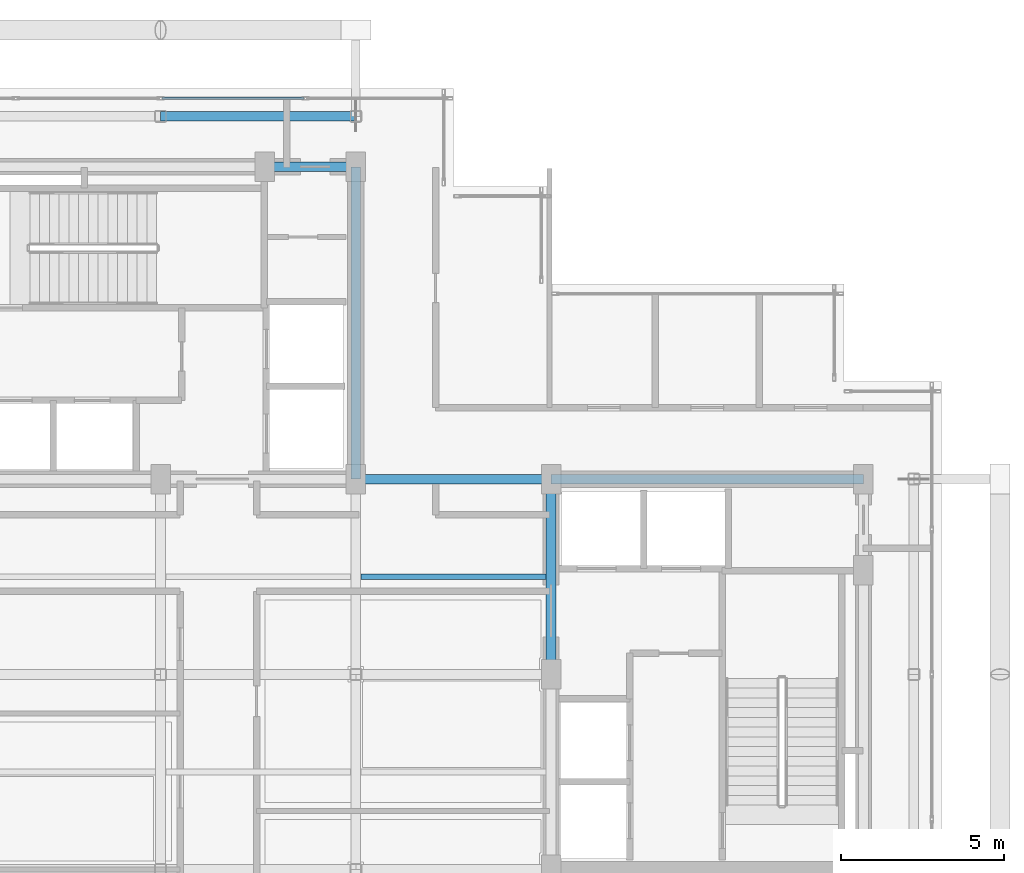
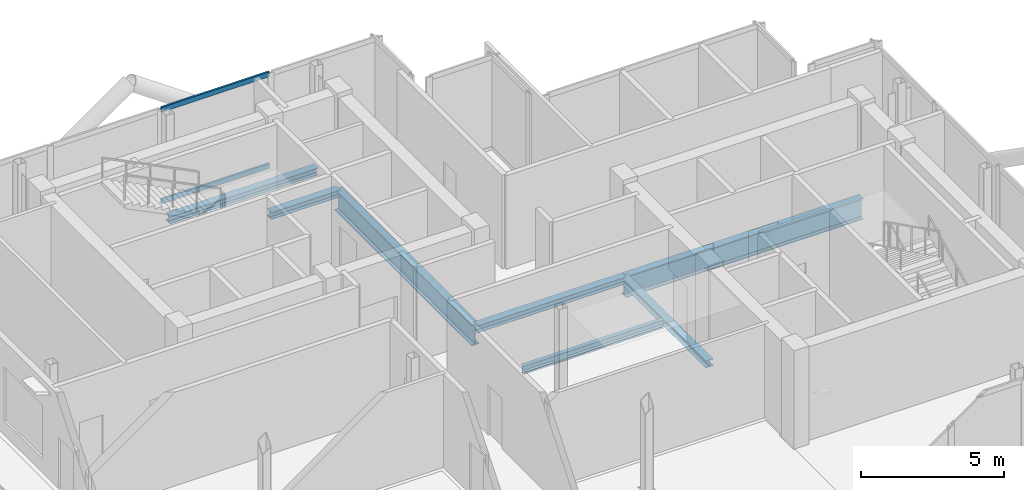
# One storey, part 7 of 16: 7 beams, 2 members, 1 element without a shape of its own.
"""IFC4 building model written with IfcOpenShell, lengths in metres."""

from ifc_helpers import new_model, si_unit, direction, frame, origin, origin_2d, place, context, subcontext, project, spatial, hollow_rectangle, i_section, extrude, material, layer, layer_set, material_profile, profile_set, type_object, element, aggregate, save


model = new_model("IFC4")

# Units and contexts
model_context = context("Model", 3, precision=1e-05, world=origin(), true_north=direction((0.0, 1.0)))
body_context = subcontext(model_context, "Body", "Model", "MODEL_VIEW")
ifc_project = project(units=[si_unit("LENGTHUNIT", "METRE"), si_unit("AREAUNIT", "SQUARE_METRE"), si_unit("VOLUMEUNIT", "CUBIC_METRE"), si_unit("PLANEANGLEUNIT", "RADIAN"), si_unit("MASSUNIT", "GRAM", prefix="KILO"), si_unit("THERMODYNAMICTEMPERATUREUNIT", "KELVIN"), si_unit("POWERUNIT", "WATT")], contexts=[model_context])

# Site, building, storey
site_placement = place(None, origin())
site = spatial("IfcSite", under=ifc_project, at=site_placement, CompositionType="ELEMENT")
building_placement = place(site_placement, origin())
building = spatial("IfcBuilding", under=site, at=building_placement, Name="Svarakhadi Broadcast Tower", CompositionType="ELEMENT")
storey_placement = place(building_placement, frame((0.0, 0.0, 292.199951171875)))
storey = spatial("IfcBuildingStorey", under=building, at=storey_placement, Name="L74", CompositionType="ELEMENT", Elevation=292.199951171875)

# Beam
ifc_material_1 = material(Name="Steel S355J2 (IS 2062 E350C)", Category="steel")
ifc_material_profile_1 = material_profile(ifc_material_1, i_section(OverallWidth=0.169921875, OverallDepth=0.360107421875, WebThickness=0.008056640625, FlangeThickness=0.0126953125, FilletRadius=0.01806640625, at=origin_2d()), Name="NPB 360x170x57")
ifc_profile_set_1 = profile_set([ifc_material_profile_1], Name="Steel S355J2 (IS 2062 E350C)")
beam_type_1 = type_object("IfcBeamType", Name="Beam_NPB360", PredefinedType="BEAM", material=ifc_profile_set_1)
beam_1_placement = place(storey_placement, frame((18.159912109375, 15.0, -0.3798828125), z_axis=(1.0, 0.0, 0.0), x_axis=(0.0, 1.0, 0.0)))
element("IfcBeam", 1, at=beam_1_placement, inside=storey, type_object=beam_type_1, Name="L74 Secondary Composite Beam SB012", PredefinedType="BEAM", context=body_context, shape_type="SweptSolid", body=[
    extrude(i_section(OverallWidth=0.169921875, OverallDepth=0.360107421875, WebThickness=0.008056640625, FlangeThickness=0.0126953125, FilletRadius=0.01806640625, at=origin_2d()), origin(), (0.0, 0.0, 1.0), 5.68017578125),
])

# Curtain wall, members
ifc_material_2 = material(Name="Anodised Bronze Aluminium AA 6063-T6", Category="aluminium")
ifc_layer = layer(ifc_material_2, 0.239990234375)
ifc_layer_set = layer_set([ifc_layer], Name="Anodised Bronze Aluminium AA 6063-T6")
curtain_wall_type = type_object("IfcCurtainWallType", Name="CW_Sys_06", PredefinedType="NOTDEFINED", material=ifc_layer_set)
curtain_wall_placement = place(storey_placement, origin())
curtain_wall = element("IfcCurtainWall", 2, at=curtain_wall_placement, inside=storey, type_object=curtain_wall_type, Name="L74 Unitised Facade Curtain Wall 06", PredefinedType="NOTDEFINED")
ifc_material_profile_2 = material_profile(ifc_material_2, hollow_rectangle(XDim=0.080078125, YDim=0.2099609375, WallThickness=0.0048828125, at=origin_2d()), Name="ALU TRANSOM 210x80x5")
ifc_profile_set_2 = profile_set([ifc_material_profile_2], Name="Anodised Bronze Aluminium AA 6063-T6")
member_type = type_object("IfcMemberType", Name="CW_Sys_06_Trn", PredefinedType="USERDEFINED", material=ifc_profile_set_2)
member_1_placement = place(storey_placement, frame((12.044921875, 29.699951171875, 0.0400390625), z_axis=(1.0, 0.0, 0.0), x_axis=(0.0, 1.0, 0.0)))
member_1 = element("IfcMember", 3, at=member_1_placement, type_object=member_type, Name="CW-06 transom 3.1", ObjectType="TRANSOM", PredefinedType="USERDEFINED", context=body_context, shape_type="SweptSolid", body=[
    extrude(hollow_rectangle(XDim=0.080078125, YDim=0.2099609375, WallThickness=0.0048828125, at=origin_2d()), origin(), (0.0, 0.0, 1.0), 4.364990234375),
])
member_2_placement = place(storey_placement, frame((12.044921875, 29.699951171875, 3.9599609375), z_axis=(1.0, 0.0, 0.0), x_axis=(0.0, 1.0, 0.0)))
member_2 = element("IfcMember", 4, at=member_2_placement, type_object=member_type, Name="CW-06 transom 3.2", ObjectType="TRANSOM", PredefinedType="USERDEFINED", context=body_context, shape_type="SweptSolid", body=[
    extrude(hollow_rectangle(XDim=0.080078125, YDim=0.2099609375, WallThickness=0.0048828125, at=origin_2d()), origin(), (0.0, 0.0, 1.0), 4.364990234375),
])
aggregate(curtain_wall, [member_1, member_2])

# Beams
ifc_material_profile_3 = material_profile(ifc_material_1, i_section(OverallWidth=0.300048828125, OverallDepth=0.300048828125, WebThickness=0.010986328125, FlangeThickness=0.01904296875, FilletRadius=0.027099609375, at=origin_2d()), Name="WPB 300x300x117")
ifc_profile_set_3 = profile_set([ifc_material_profile_3], Name="Steel S355J2 (IS 2062 E350C)")
beam_type_2 = type_object("IfcBeamType", Name="Girder_WPB300", PredefinedType="USERDEFINED", material=ifc_profile_set_3)
beam_2_placement = place(storey_placement, frame((18.0, 18.0, -0.349853515625), z_axis=(1.0, 0.0, 0.0), x_axis=(0.0, 1.0, 0.0)))
element("IfcBeam", 5, at=beam_2_placement, inside=storey, type_object=beam_type_2, Name="L74 Primary E-W Girder G020", ObjectType="GIRDER", PredefinedType="USERDEFINED", context=body_context, shape_type="SweptSolid", body=[
    extrude(i_section(OverallWidth=0.300048828125, OverallDepth=0.300048828125, WebThickness=0.010986328125, FlangeThickness=0.01904296875, FilletRadius=0.027099609375, at=origin_2d()), origin(), (0.0, 0.0, 1.0), 6.0),
])
beam_3_placement = place(storey_placement, frame((15.199951171875, 27.60009765625, -0.349853515625), z_axis=(1.0, 0.0, 0.0), x_axis=(0.0, 1.0, 0.0)))
element("IfcBeam", 6, at=beam_3_placement, inside=storey, type_object=beam_type_2, Name="L74 Primary E-W Girder G023", ObjectType="GIRDER", PredefinedType="USERDEFINED", context=body_context, shape_type="SweptSolid", body=[
    extrude(i_section(OverallWidth=0.300048828125, OverallDepth=0.300048828125, WebThickness=0.010986328125, FlangeThickness=0.01904296875, FilletRadius=0.027099609375, at=origin_2d()), origin(), (0.0, 0.0, 1.0), 2.800048828125),
])
for number, where, z_axis, x_axis, name in (
    (7, (12.0, 29.14990234375, -0.349853515625), (1.0, 0.0, 0.0), (0.0, 1.0, 0.0), "L74 Primary E-W Girder G025"),
    (8, (24.0, 12.0, -0.349853515625), (0.0, 1.0, 0.0), (-1.0, 0.0, 0.0), "L74 Primary N-S Girder G042"),
):
    element("IfcBeam", number, at=place(storey_placement, frame(where, z_axis=z_axis, x_axis=x_axis)), inside=storey, type_object=beam_type_2, Name=name, ObjectType="GIRDER", PredefinedType="USERDEFINED", context=body_context, shape_type="SweptSolid", body=[
        extrude(i_section(OverallWidth=0.300048828125, OverallDepth=0.300048828125, WebThickness=0.010986328125, FlangeThickness=0.01904296875, FilletRadius=0.027099609375, at=origin_2d()), origin(), (0.0, 0.0, 1.0), 6.0),
    ])
ifc_material_3 = material(Name="Steel S460ML (IS 2062 E450BR)", Category="steel")
ifc_material_profile_4 = material_profile(ifc_material_3, i_section(OverallWidth=0.300048828125, OverallDepth=0.89990234375, WebThickness=0.0185546875, FlangeThickness=0.034912109375, FilletRadius=0.030029296875, at=origin_2d()), Name="WPB 900x300x291")
ifc_profile_set_4 = profile_set([ifc_material_profile_4], Name="Steel S460ML (IS 2062 E450BR)")
beam_type_3 = type_object("IfcBeamType", Name="Girder_WPB900", PredefinedType="USERDEFINED", material=ifc_profile_set_4)
for number, where, z_axis, x_axis, name in (
    (9, (24.0, 18.0, -0.64990234375), (1.0, 0.0, 0.0), (0.0, 1.0, 0.0), "L74 Primary E-W Girder G021"),
    (10, (18.0, 18.0, -0.64990234375), (0.0, 1.0, 0.0), (-1.0, 0.0, 0.0), "L74 Primary N-S Girder G039"),
):
    element("IfcBeam", number, at=place(storey_placement, frame(where, z_axis=z_axis, x_axis=x_axis)), inside=storey, type_object=beam_type_3, Name=name, ObjectType="GIRDER", PredefinedType="USERDEFINED", context=body_context, shape_type="SweptSolid", body=[
        extrude(i_section(OverallWidth=0.300048828125, OverallDepth=0.89990234375, WebThickness=0.0185546875, FlangeThickness=0.034912109375, FilletRadius=0.030029296875, at=origin_2d()), origin(), (0.0, 0.0, 1.0), 9.60009765625),
    ])

save(model, "model.ifc")
